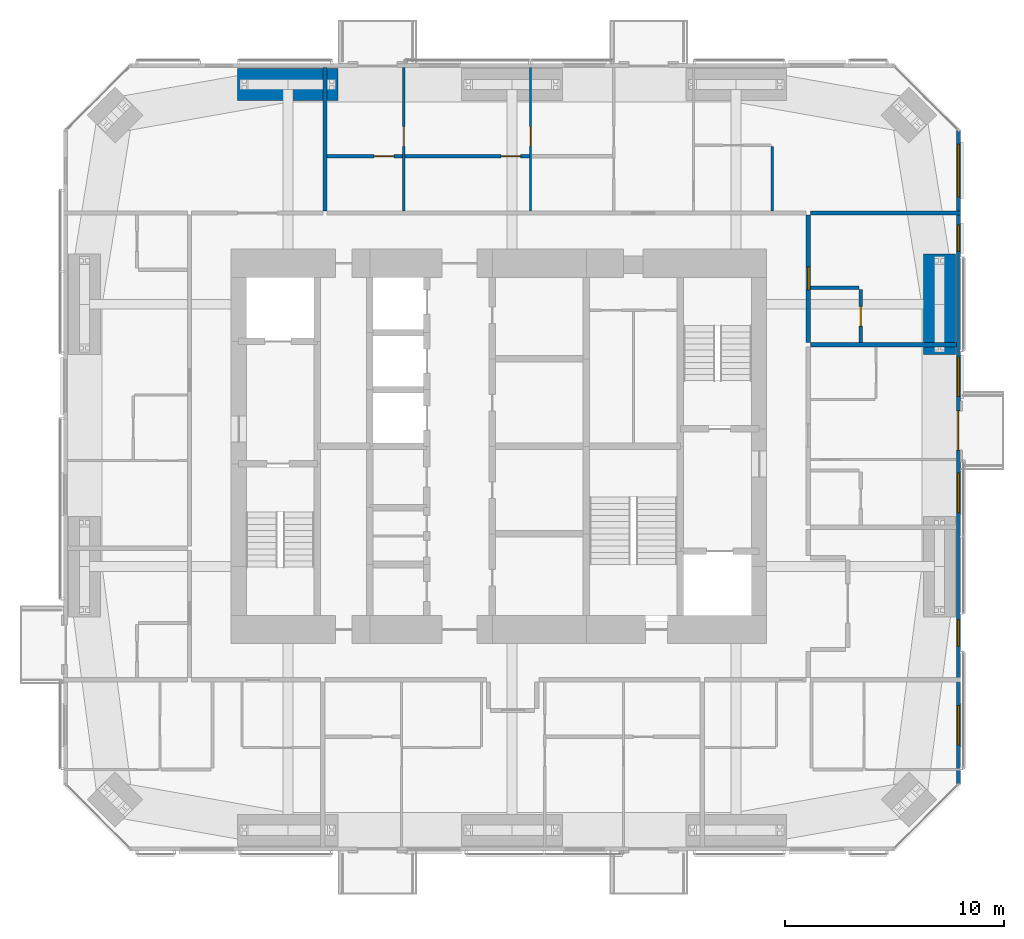
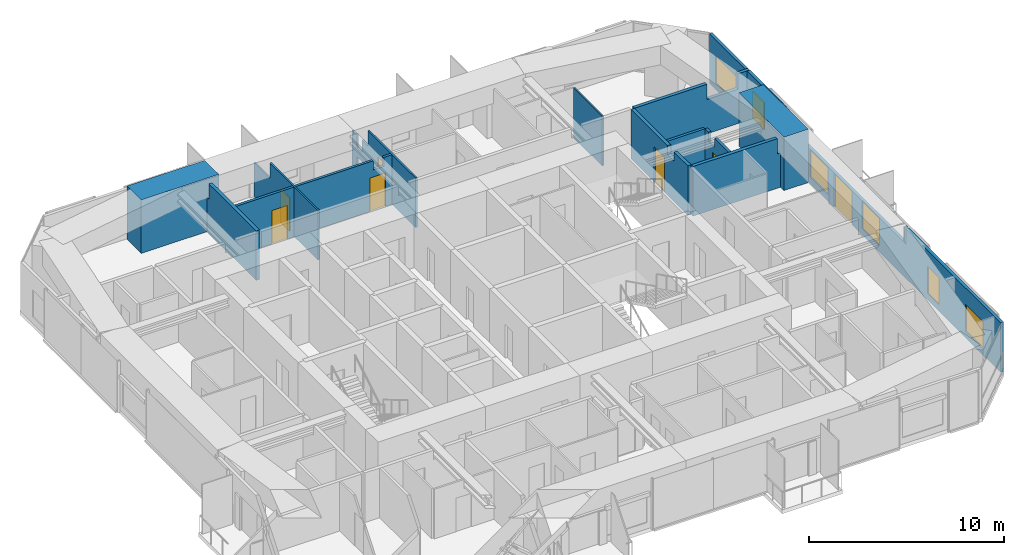
# One storey, part 20 of 22: 14 walls, 7 doors, 6 windows, 13 openings.
"""IFC4 building model written with IfcOpenShell, lengths in metres."""

from ifc_helpers import new_model, si_unit, direction, frame, frame_2d, origin, place, context, subcontext, project, spatial, polyline, rectangle, outline, extrude, material, layer, layer_set, constituent, constituent_set, type_object, element, fill, save


model = new_model("IFC4")

# Units and contexts
model_context = context("Model", 3, precision=1e-05, world=origin(), true_north=direction((0.0, 1.0)))
body_context = subcontext(model_context, "Body", "Model", "MODEL_VIEW")
ifc_project = project(units=[si_unit("LENGTHUNIT", "METRE"), si_unit("AREAUNIT", "SQUARE_METRE"), si_unit("VOLUMEUNIT", "CUBIC_METRE"), si_unit("PLANEANGLEUNIT", "RADIAN"), si_unit("MASSUNIT", "GRAM", prefix="KILO")], contexts=[model_context])

# Site, building, storey
site_placement = place(None, origin())
site = spatial("IfcSite", under=ifc_project, at=site_placement, CompositionType="ELEMENT")
building_placement = place(site_placement, origin())
building = spatial("IfcBuilding", under=site, at=building_placement, Name="Jalousie Tower", CompositionType="ELEMENT")
storey_placement = place(building_placement, frame((0.0, 0.0, 177.800048828125)))
storey = spatial("IfcBuildingStorey", under=building, at=storey_placement, Name="L48", CompositionType="ELEMENT", Elevation=177.800048828125)

# Wall, opening, door
ifc_material_1 = material(Name="Concrete block ASTM C90", Category="concrete")
ifc_constituent_1 = constituent(ifc_material_1, Name="Body")
ifc_material_2 = material(Name="Render")
ifc_constituent_2 = constituent(ifc_material_2, Name="Finish")
ifc_constituent_set_1 = constituent_set(constituents=[ifc_constituent_1, ifc_constituent_2])
wall_type_1 = type_object("IfcWallType", Name="BATHROOM WALL 150", PredefinedType="PLUMBINGWALL", material=ifc_constituent_set_1)
wall_1_placement = place(storey_placement, frame((24.050048828125, 31.77490234375, 0.0), z_axis=(0.0, 0.0, 1.0), x_axis=(1.0, 0.0, 0.0)))
wall_1 = element("IfcWall", 1, at=wall_1_placement, inside=storey, type_object=wall_type_1, Name="Bathroom Wall 150 L48", PredefinedType="PLUMBINGWALL", context=body_context, shape_type="SweptSolid", body=[
    extrude(rectangle(XDim=3.449951171875, YDim=0.14990234375, at=frame_2d((1.72509765625, 0.0))), origin(), (0.0, 0.0, 1.0), 3.10986328125),
])
opening_1_placement = place(wall_1_placement, frame((2.14990234375, 0.0, 0.0)))
opening_1 = element("IfcOpeningElement", 2, at=opening_1_placement, cuts=wall_1, Name="Opening D3", PredefinedType="OPENING", context=body_context, shape_type="SweptSolid", body=[
    extrude(rectangle(XDim=0.89990234375, YDim=2.10009765625, at=frame_2d((0.449951171875, 1.050048828125))), frame((0.0, 0.0849609375, 0.0), z_axis=(0.0, -1.0, 0.0), x_axis=(1.0, 0.0, 0.0)), (0.0, 0.0, 1.0), 0.169921875),
])
ifc_material_3 = material(Name="Timber door", Category="wood")
door_type_1 = type_object("IfcDoorType", Name="BATHROOM DOOR 900", OperationType="SINGLE_SWING_LEFT", PredefinedType="DOOR", material=ifc_material_3)
door_1_placement = place(opening_1_placement, frame((0.89990234375, 0.0, 0.0), z_axis=(0.0, 0.0, 1.0), x_axis=(-1.0, 0.0, 0.0)))
door_1 = element("IfcDoor", 3, at=door_1_placement, inside=storey, type_object=door_type_1, Name="Apartment 4804 bedroom 1 bathroom door", OperationType="SINGLE_SWING_LEFT", OverallHeight=2.10009765625, OverallWidth=0.89990234375, PredefinedType="DOOR", context=body_context, shape_type="SweptSolid", body=[
    extrude(rectangle(XDim=0.89990234375, YDim=2.10009765625, at=frame_2d((0.449951171875, 1.050048828125))), frame((0.0, 0.02490234375, 0.0), z_axis=(0.0, -1.0, 0.0), x_axis=(1.0, 0.0, 0.0)), (0.0, 0.0, 1.0), 0.050048828125),
])
fill(opening_1, door_1)

wall_2_placement = place(storey_placement, frame((27.60009765625, 31.77490234375, 0.0), z_axis=(0.0, 0.0, 1.0), x_axis=(1.0, 0.0, 0.0)))
wall_2 = element("IfcWall", 4, at=wall_2_placement, inside=storey, type_object=wall_type_1, Name="Bathroom Wall 150 L48", PredefinedType="PLUMBINGWALL", context=body_context, shape_type="SweptSolid", body=[
    extrude(outline(polyline([(0.0, 0.0), (5.699951171875, 0.0), (5.699951171875, 3.10986328125), (5.21240234375, 3.10986328125), (5.21240234375, 2.541015625), (4.587646484375, 2.541015625), (4.587646484375, 3.10986328125), (0.0, 3.10986328125), (0.0, 0.0)])), frame((0.0, 0.074951171875, 0.0), z_axis=(0.0, -1.0, 0.0), x_axis=(1.0, 0.0, 0.0)), (0.0, 0.0, 1.0), 0.14990234375),
])
opening_2_placement = place(wall_2_placement, frame((4.39990234375, 0.0, 0.0)))
opening_2 = element("IfcOpeningElement", 5, at=opening_2_placement, cuts=wall_2, Name="Opening D3", PredefinedType="OPENING", context=body_context, shape_type="SweptSolid", body=[
    extrude(rectangle(XDim=0.89990234375, YDim=2.10009765625, at=frame_2d((0.449951171875, 1.050048828125))), frame((0.0, 0.0849609375, 0.0), z_axis=(0.0, -1.0, 0.0), x_axis=(1.0, 0.0, 0.0)), (0.0, 0.0, 1.0), 0.169921875),
])
door_2_placement = place(opening_2_placement, frame((0.89990234375, 0.0, 0.0), z_axis=(0.0, 0.0, 1.0), x_axis=(-1.0, 0.0, 0.0)))
door_2 = element("IfcDoor", 6, at=door_2_placement, inside=storey, type_object=door_type_1, Name="Apartment 4804 bedroom 2 bathroom door", OperationType="SINGLE_SWING_LEFT", OverallHeight=2.10009765625, OverallWidth=0.89990234375, PredefinedType="DOOR", context=body_context, shape_type="SweptSolid", body=[
    extrude(rectangle(XDim=0.89990234375, YDim=2.10009765625, at=frame_2d((0.449951171875, 1.050048828125))), frame((0.0, 0.02490234375, 0.0), z_axis=(0.0, -1.0, 0.0), x_axis=(1.0, 0.0, 0.0)), (0.0, 0.0, 1.0), 0.050048828125),
])
fill(opening_2, door_2)

wall_3_placement = place(storey_placement, frame((48.449951171875, 23.25, 0.0), z_axis=(0.0, 0.0, 1.0), x_axis=(0.0, 1.0, 0.0)))
wall_3 = element("IfcWall", 7, at=wall_3_placement, inside=storey, type_object=wall_type_1, Name="Bathroom Wall 150 L48", PredefinedType="PLUMBINGWALL", context=body_context, shape_type="SweptSolid", body=[
    extrude(outline(polyline([(0.0, 0.0), (2.425048828125, 0.0), (2.425048828125, 3.10986328125), (2.0625, 3.10986328125), (2.0625, 2.541015625), (1.4375, 2.541015625), (1.4375, 3.10986328125), (0.0, 3.10986328125), (0.0, 0.0)])), frame((0.0, 0.074951171875, 0.0), z_axis=(0.0, -1.0, 0.0), x_axis=(1.0, 0.0, 0.0)), (0.0, 0.0, 1.0), 0.14990234375),
])
opening_3_placement = place(wall_3_placement, frame((0.75, 0.0, 0.0)))
opening_3 = element("IfcOpeningElement", 8, at=opening_3_placement, cuts=wall_3, Name="Opening D3", PredefinedType="OPENING", context=body_context, shape_type="SweptSolid", body=[
    extrude(rectangle(XDim=0.89990234375, YDim=2.10009765625, at=frame_2d((0.449951171875, 1.050048828125))), frame((0.0, 0.0849609375, 0.0), z_axis=(0.0, -1.0, 0.0), x_axis=(1.0, 0.0, 0.0)), (0.0, 0.0, 1.0), 0.169921875),
])
door_3_placement = place(opening_3_placement, origin())
door_3 = element("IfcDoor", 9, at=door_3_placement, inside=storey, type_object=door_type_1, Name="Apartment 4808 bathroom door", OperationType="SINGLE_SWING_LEFT", OverallHeight=2.10009765625, OverallWidth=0.89990234375, PredefinedType="DOOR", context=body_context, shape_type="SweptSolid", body=[
    extrude(rectangle(XDim=0.89990234375, YDim=2.10009765625, at=frame_2d((0.449951171875, 1.050048828125))), frame((0.0, 0.02490234375, 0.0), z_axis=(0.0, -1.0, 0.0), x_axis=(1.0, 0.0, 0.0)), (0.0, 0.0, 1.0), 0.050048828125),
])
fill(opening_3, door_3)

# Wall
wall_4_placement = place(storey_placement, frame((48.375, 25.75, 0.0), z_axis=(0.0, 0.0, 1.0), x_axis=(-1.0, 0.0, 0.0)))
element("IfcWall", 10, at=wall_4_placement, inside=storey, type_object=wall_type_1, Name="Bathroom Wall 150 L48", PredefinedType="PLUMBINGWALL", context=body_context, shape_type="SweptSolid", body=[
    extrude(rectangle(XDim=2.22509765625, YDim=0.14990234375, at=frame_2d((1.112548828125, 0.0))), origin(), (0.0, 0.0, 1.0), 3.10986328125),
])

# Wall, opening, door
ifc_material_4 = material(Name="Concrete block ASTM C90", Category="concrete")
ifc_constituent_3 = constituent(ifc_material_4, Name="Body")
ifc_material_5 = material(Name="Render")
ifc_constituent_4 = constituent(ifc_material_5, Name="Finish")
ifc_constituent_set_2 = constituent_set(constituents=[ifc_constituent_3, ifc_constituent_4])
wall_type_2 = type_object("IfcWallType", Name="CORRIDOR WALL 200", PredefinedType="PARTITIONING", material=ifc_constituent_set_2)
wall_5_placement = place(storey_placement, frame((46.050048828125, 23.25, 0.0), z_axis=(0.0, 0.0, 1.0), x_axis=(0.0, 1.0, 0.0)))
wall_5 = element("IfcWall", 11, at=wall_5_placement, inside=storey, type_object=wall_type_2, Name="Corridor Wall 200 L48", PredefinedType="PARTITIONING", context=body_context, shape_type="SweptSolid", body=[
    extrude(outline(polyline([(0.0, 0.0), (5.824951171875, 0.0), (5.824951171875, 3.10986328125), (2.08740234375, 3.10986328125), (2.08740234375, 2.541015625), (1.41259765625, 2.541015625), (1.41259765625, 3.10986328125), (0.0, 3.10986328125), (0.0, 0.0)])), frame((0.0, 0.10009765625, 0.0), z_axis=(0.0, -1.0, 0.0), x_axis=(1.0, 0.0, 0.0)), (0.0, 0.0, 1.0), 0.199951171875),
])
opening_4_placement = place(wall_5_placement, frame((2.41259765625, 0.0, 0.0)))
opening_4 = element("IfcOpeningElement", 12, at=opening_4_placement, cuts=wall_5, Name="Opening D1", PredefinedType="OPENING", context=body_context, shape_type="SweptSolid", body=[
    extrude(rectangle(XDim=1.050048828125, YDim=2.199951171875, at=frame_2d((0.52490234375, 1.10009765625))), frame((0.0, 0.10986328125, 0.0), z_axis=(0.0, -1.0, 0.0), x_axis=(1.0, 0.0, 0.0)), (0.0, 0.0, 1.0), 0.219970703125),
])
ifc_material_6 = material(Name="Timber fire door", Category="wood")
door_type_2 = type_object("IfcDoorType", Name="APARTMENT ENTRANCE DOOR 1050", OperationType="SINGLE_SWING_LEFT", PredefinedType="DOOR", material=ifc_material_6)
door_4_placement = place(opening_4_placement, frame((1.050048828125, 0.0, 0.0), z_axis=(0.0, 0.0, 1.0), x_axis=(-1.0, 0.0, 0.0)))
door_4 = element("IfcDoor", 13, at=door_4_placement, inside=storey, type_object=door_type_2, Name="Apartment 4808 entrance", OperationType="SINGLE_SWING_LEFT", OverallHeight=2.199951171875, OverallWidth=1.050048828125, PredefinedType="DOOR", context=body_context, shape_type="SweptSolid", body=[
    extrude(rectangle(XDim=1.050048828125, YDim=2.199951171875, at=frame_2d((0.52490234375, 1.10009765625))), frame((0.0, 0.02490234375, 0.0), z_axis=(0.0, -1.0, 0.0), x_axis=(1.0, 0.0, 0.0)), (0.0, 0.0, 1.0), 0.050048828125),
])
fill(opening_4, door_4)

# Wall, openings, door, windows
ifc_material_7 = material(Name="Concrete f'c 40 MPa", Category="concrete")
ifc_constituent_5 = constituent(ifc_material_7, Name="Body")
ifc_material_8 = material(Name="Render, pastel lemon")
ifc_constituent_6 = constituent(ifc_material_8, Name="Finish")
ifc_constituent_set_3 = constituent_set(constituents=[ifc_constituent_5, ifc_constituent_6])
wall_type_3 = type_object("IfcWallType", Name="EXTERNAL WALL 175 LEMON RENDER", PredefinedType="SOLIDWALL", material=ifc_constituent_set_3)
wall_6_placement = place(storey_placement, frame((52.91259765625, 3.05126953125, 0.0), z_axis=(0.0, 0.0, 1.0), x_axis=(0.0, 1.0, 0.0)))
wall_6 = element("IfcWall", 14, at=wall_6_placement, inside=storey, type_object=wall_type_3, Name="External Wall 175 Lemon Render L48", PredefinedType="SOLIDWALL", context=body_context, shape_type="SweptSolid", body=[
    extrude(outline(polyline([(0.0, 0.0), (29.8974609375, 0.0), (29.8974609375, 3.10986328125), (22.16748046875, 3.10986328125), (22.16748046875, 2.14990234375), (22.073974609375, 2.14990234375), (22.073974609375, 3.10986328125), (21.94873046875, 3.10986328125), (21.94873046875, 2.14990234375), (9.94873046875, 2.14990234375), (9.94873046875, 3.10986328125), (9.846923828125, 3.10986328125), (9.846923828125, 2.14990234375), (9.7060546875, 2.14990234375), (9.7060546875, 3.10986328125), (0.0, 3.10986328125), (0.0, 0.0)])), frame((0.0, 0.08740234375, 0.0), z_axis=(0.0, -1.0, 0.0), x_axis=(1.0, 0.0, 0.0)), (0.0, 0.0, 1.0), 0.175048828125),
])
opening_5_placement = place(wall_6_placement, frame((1.796875, 0.0, 0.39990234375)))
opening_5 = element("IfcOpeningElement", 15, at=opening_5_placement, cuts=wall_6, Name="Opening W-BED170", PredefinedType="OPENING", context=body_context, shape_type="SweptSolid", body=[
    extrude(rectangle(XDim=1.800048828125, YDim=1.699951171875, at=frame_2d((0.89990234375, 0.85009765625))), frame((0.0, 0.097412109375, 0.0), z_axis=(0.0, -1.0, 0.0), x_axis=(1.0, 0.0, 0.0)), (0.0, 0.0, 1.0), 0.195068359375),
])
opening_6_placement = place(wall_6_placement, frame((6.320556640625, 0.0, 0.39990234375)))
opening_6 = element("IfcOpeningElement", 16, at=opening_6_placement, cuts=wall_6, Name="Opening W-COR170", PredefinedType="OPENING", context=body_context, shape_type="SweptSolid", body=[
    extrude(rectangle(XDim=1.199951171875, YDim=1.699951171875, at=frame_2d((0.60009765625, 0.85009765625))), frame((0.0, 0.097412109375, 0.0), z_axis=(0.0, -1.0, 0.0), x_axis=(1.0, 0.0, 0.0)), (0.0, 0.0, 1.0), 0.195068359375),
])
opening_7_placement = place(wall_6_placement, frame((12.423583984375, 0.0, 0.39990234375)))
opening_7 = element("IfcOpeningElement", 17, at=opening_7_placement, cuts=wall_6, Name="Opening W-BED170", PredefinedType="OPENING", context=body_context, shape_type="SweptSolid", body=[
    extrude(rectangle(XDim=1.800048828125, YDim=1.699951171875, at=frame_2d((0.89990234375, 0.85009765625))), frame((0.0, 0.097412109375, 0.0), z_axis=(0.0, -1.0, 0.0), x_axis=(1.0, 0.0, 0.0)), (0.0, 0.0, 1.0), 0.195068359375),
])
opening_8_placement = place(wall_6_placement, frame((15.273681640625, 0.0, 0.0)))
opening_8 = element("IfcOpeningElement", 18, at=opening_8_placement, cuts=wall_6, Name="Opening D-BAL21", PredefinedType="OPENING", context=body_context, shape_type="SweptSolid", body=[
    extrude(rectangle(XDim=1.800048828125, YDim=2.10009765625, at=frame_2d((0.89990234375, 1.050048828125))), frame((0.0, 0.097412109375, 0.0), z_axis=(0.0, -1.0, 0.0), x_axis=(1.0, 0.0, 0.0)), (0.0, 0.0, 1.0), 0.195068359375),
])
opening_9_placement = place(wall_6_placement, frame((17.736083984375, 0.0, 0.39990234375)))
opening_9 = element("IfcOpeningElement", 19, at=opening_9_placement, cuts=wall_6, Name="Opening W-BED170", PredefinedType="OPENING", context=body_context, shape_type="SweptSolid", body=[
    extrude(rectangle(XDim=1.800048828125, YDim=1.699951171875, at=frame_2d((0.89990234375, 0.85009765625))), frame((0.0, 0.097412109375, 0.0), z_axis=(0.0, -1.0, 0.0), x_axis=(1.0, 0.0, 0.0)), (0.0, 0.0, 1.0), 0.195068359375),
])
opening_10_placement = place(wall_6_placement, frame((24.373046875, 0.0, 0.39990234375)))
opening_10 = element("IfcOpeningElement", 20, at=opening_10_placement, cuts=wall_6, Name="Opening W-COR170", PredefinedType="OPENING", context=body_context, shape_type="SweptSolid", body=[
    extrude(rectangle(XDim=1.199951171875, YDim=1.699951171875, at=frame_2d((0.60009765625, 0.85009765625))), frame((0.0, 0.097412109375, 0.0), z_axis=(0.0, -1.0, 0.0), x_axis=(1.0, 0.0, 0.0)), (0.0, 0.0, 1.0), 0.195068359375),
])
opening_11_placement = place(wall_6_placement, frame((26.860595703125, 0.0, 0.39990234375)))
opening_11 = element("IfcOpeningElement", 21, at=opening_11_placement, cuts=wall_6, Name="Opening W-LIV170", PredefinedType="OPENING", context=body_context, shape_type="SweptSolid", body=[
    extrude(rectangle(XDim=2.39990234375, YDim=1.699951171875, at=frame_2d((1.199951171875, 0.85009765625))), frame((0.0, 0.097412109375, 0.0), z_axis=(0.0, -1.0, 0.0), x_axis=(1.0, 0.0, 0.0)), (0.0, 0.0, 1.0), 0.195068359375),
])
ifc_material_9 = material(Name="Aluminium frame, impact-rated glazing", Category="aluminium")
door_type_3 = type_object("IfcDoorType", Name="BALCONY DOOR 1800x2100", OperationType="SLIDING_TO_LEFT", PredefinedType="DOOR", material=ifc_material_9)
door_5_placement = place(opening_8_placement, origin())
door_5 = element("IfcDoor", 22, at=door_5_placement, inside=storey, type_object=door_type_3, Name="Apartment 4807 studio living and sleeping room balcony door", OperationType="SLIDING_TO_LEFT", OverallHeight=2.10009765625, OverallWidth=1.800048828125, PredefinedType="DOOR", context=body_context, shape_type="SweptSolid", body=[
    extrude(rectangle(XDim=1.800048828125, YDim=2.10009765625, at=frame_2d((0.89990234375, 1.050048828125))), frame((0.0, 0.02490234375, 0.0), z_axis=(0.0, -1.0, 0.0), x_axis=(1.0, 0.0, 0.0)), (0.0, 0.0, 1.0), 0.050048828125),
])
fill(opening_8, door_5)
ifc_material_10 = material(Name="Aluminium frame, impact-rated glazing", Category="aluminium")
window_type_1 = type_object("IfcWindowType", Name="WINDOW BED 1800x1700", PartitioningType="SINGLE_PANEL", PredefinedType="WINDOW", material=ifc_material_10)
window_1_placement = place(opening_5_placement, origin())
window_1 = element("IfcWindow", 23, at=window_1_placement, inside=storey, type_object=window_type_1, Name="Apartment 4803 bedroom 1 window", OverallHeight=1.699951171875, OverallWidth=1.800048828125, PartitioningType="SINGLE_PANEL", PredefinedType="WINDOW", context=body_context, shape_type="SweptSolid", body=[
    extrude(rectangle(XDim=1.800048828125, YDim=1.699951171875, at=frame_2d((0.89990234375, 0.85009765625))), frame((0.0, 0.030029296875, 0.0), z_axis=(0.0, -1.0, 0.0), x_axis=(1.0, 0.0, 0.0)), (0.0, 0.0, 1.0), 0.06005859375),
])
fill(opening_5, window_1)
window_2_placement = place(opening_7_placement, origin())
window_2 = element("IfcWindow", 24, at=window_2_placement, inside=storey, type_object=window_type_1, Name="Apartment 4807 study window", OverallHeight=1.699951171875, OverallWidth=1.800048828125, PartitioningType="SINGLE_PANEL", PredefinedType="WINDOW", context=body_context, shape_type="SweptSolid", body=[
    extrude(rectangle(XDim=1.800048828125, YDim=1.699951171875, at=frame_2d((0.89990234375, 0.85009765625))), frame((0.0, 0.030029296875, 0.0), z_axis=(0.0, -1.0, 0.0), x_axis=(1.0, 0.0, 0.0)), (0.0, 0.0, 1.0), 0.06005859375),
])
fill(opening_7, window_2)
window_3_placement = place(opening_9_placement, origin())
window_3 = element("IfcWindow", 25, at=window_3_placement, inside=storey, type_object=window_type_1, Name="Apartment 4807 studio living and sleeping room window", OverallHeight=1.699951171875, OverallWidth=1.800048828125, PartitioningType="SINGLE_PANEL", PredefinedType="WINDOW", context=body_context, shape_type="SweptSolid", body=[
    extrude(rectangle(XDim=1.800048828125, YDim=1.699951171875, at=frame_2d((0.89990234375, 0.85009765625))), frame((0.0, 0.030029296875, 0.0), z_axis=(0.0, -1.0, 0.0), x_axis=(1.0, 0.0, 0.0)), (0.0, 0.0, 1.0), 0.06005859375),
])
fill(opening_9, window_3)
ifc_material_11 = material(Name="Aluminium frame, impact-rated glazing", Category="aluminium")
window_type_2 = type_object("IfcWindowType", Name="WINDOW COR 1200x1700", PartitioningType="SINGLE_PANEL", PredefinedType="WINDOW", material=ifc_material_11)
window_4_placement = place(opening_6_placement, origin())
window_4 = element("IfcWindow", 26, at=window_4_placement, inside=storey, type_object=window_type_2, Name="Residents' library window", OverallHeight=1.699951171875, OverallWidth=1.199951171875, PartitioningType="SINGLE_PANEL", PredefinedType="WINDOW", context=body_context, shape_type="SweptSolid", body=[
    extrude(rectangle(XDim=1.199951171875, YDim=1.699951171875, at=frame_2d((0.60009765625, 0.85009765625))), frame((0.0, 0.030029296875, 0.0), z_axis=(0.0, -1.0, 0.0), x_axis=(1.0, 0.0, 0.0)), (0.0, 0.0, 1.0), 0.06005859375),
])
fill(opening_6, window_4)
window_5_placement = place(opening_10_placement, origin())
window_5 = element("IfcWindow", 27, at=window_5_placement, inside=storey, type_object=window_type_2, Name="Apartment 4808 studio kitchen, living and sleeping room window", OverallHeight=1.699951171875, OverallWidth=1.199951171875, PartitioningType="SINGLE_PANEL", PredefinedType="WINDOW", context=body_context, shape_type="SweptSolid", body=[
    extrude(rectangle(XDim=1.199951171875, YDim=1.699951171875, at=frame_2d((0.60009765625, 0.85009765625))), frame((0.0, 0.030029296875, 0.0), z_axis=(0.0, -1.0, 0.0), x_axis=(1.0, 0.0, 0.0)), (0.0, 0.0, 1.0), 0.06005859375),
])
fill(opening_10, window_5)
ifc_material_12 = material(Name="Aluminium frame, impact-rated glazing", Category="aluminium")
window_type_3 = type_object("IfcWindowType", Name="WINDOW LIV 2400x1700", PartitioningType="DOUBLE_PANEL_VERTICAL", PredefinedType="WINDOW", material=ifc_material_12)
window_6_placement = place(opening_11_placement, origin())
window_6 = element("IfcWindow", 28, at=window_6_placement, inside=storey, type_object=window_type_3, Name="Apartment 4804 living and dining room window", OverallHeight=1.699951171875, OverallWidth=2.39990234375, PartitioningType="SINGLE_PANEL", PredefinedType="WINDOW", context=body_context, shape_type="SweptSolid", body=[
    extrude(rectangle(XDim=2.39990234375, YDim=1.699951171875, at=frame_2d((1.199951171875, 0.85009765625))), frame((0.0, 0.030029296875, 0.0), z_axis=(0.0, -1.0, 0.0), x_axis=(1.0, 0.0, 0.0)), (0.0, 0.0, 1.0), 0.06005859375),
])
fill(opening_11, window_6)

# Wall, opening, door
ifc_material_13 = material(Name="Gypsum board", Category="gypsum")
ifc_constituent_7 = constituent(ifc_material_13, Name="Body")
ifc_material_14 = material(Name="Light-gauge steel studs ASTM A653 SS Grade 33", Category="steel")
ifc_constituent_8 = constituent(ifc_material_14, Name="Framing")
ifc_constituent_set_4 = constituent_set(constituents=[ifc_constituent_7, ifc_constituent_8])
wall_type_4 = type_object("IfcWallType", Name="PARTITION 100", PredefinedType="PARTITIONING", material=ifc_constituent_set_4)
wall_7_placement = place(storey_placement, frame((27.550048828125, 35.824951171875, 0.0), z_axis=(0.0, 0.0, 1.0), x_axis=(0.0, -1.0, 0.0)))
wall_7 = element("IfcWall", 29, at=wall_7_placement, inside=storey, type_object=wall_type_4, Name="Partition 100 L48", PredefinedType="PARTITIONING", context=body_context, shape_type="SweptSolid", body=[
    extrude(outline(polyline([(0.0, 0.0), (6.550048828125, 0.0), (6.550048828125, 3.10986328125), (1.635009765625, 3.10986328125), (1.635009765625, 2.14990234375), (0.0, 2.14990234375), (0.0, 3.10986328125), (0.0, 0.0)])), frame((0.0, 0.050048828125, 0.0), z_axis=(0.0, -1.0, 0.0), x_axis=(1.0, 0.0, 0.0)), (0.0, 0.0, 1.0), 0.10009765625),
])
opening_12_placement = place(wall_7_placement, frame((2.699951171875, 0.0, 0.0)))
opening_12 = element("IfcOpeningElement", 30, at=opening_12_placement, cuts=wall_7, Name="Opening D2", PredefinedType="OPENING", context=body_context, shape_type="SweptSolid", body=[
    extrude(rectangle(XDim=0.89990234375, YDim=2.10009765625, at=frame_2d((0.449951171875, 1.050048828125))), frame((0.0, 0.06005859375, 0.0), z_axis=(0.0, -1.0, 0.0), x_axis=(1.0, 0.0, 0.0)), (0.0, 0.0, 1.0), 0.1201171875),
])
ifc_material_15 = material(Name="Timber door", Category="wood")
door_type_4 = type_object("IfcDoorType", Name="BEDROOM DOOR 900", OperationType="SINGLE_SWING_LEFT", PredefinedType="DOOR", material=ifc_material_15)
door_6_placement = place(opening_12_placement, origin())
door_6 = element("IfcDoor", 31, at=door_6_placement, inside=storey, type_object=door_type_4, Name="Apartment 4804 bedroom 1 door", OperationType="SINGLE_SWING_RIGHT", OverallHeight=2.10009765625, OverallWidth=0.89990234375, PredefinedType="DOOR", context=body_context, shape_type="SweptSolid", body=[
    extrude(rectangle(XDim=0.89990234375, YDim=2.10009765625, at=frame_2d((0.449951171875, 1.050048828125))), frame((0.0, 0.02490234375, 0.0), z_axis=(0.0, -1.0, 0.0), x_axis=(1.0, 0.0, 0.0)), (0.0, 0.0, 1.0), 0.050048828125),
])
fill(opening_12, door_6)

wall_8_placement = place(storey_placement, frame((33.35009765625, 35.824951171875, 0.0), z_axis=(0.0, 0.0, 1.0), x_axis=(0.0, -1.0, 0.0)))
wall_8 = element("IfcWall", 32, at=wall_8_placement, inside=storey, type_object=wall_type_4, Name="Partition 100 L48", PredefinedType="PARTITIONING", context=body_context, shape_type="SweptSolid", body=[
    extrude(outline(polyline([(0.52880859375, 2.14990234375), (0.0, 2.14990234375), (0.0, 0.0), (0.52880859375, 0.0), (0.52880859375, 0.792724609375), (1.021240234375, 0.792724609375), (1.021240234375, 0.0), (6.550048828125, 0.0), (6.550048828125, 3.10986328125), (1.635009765625, 3.10986328125), (1.635009765625, 2.14990234375), (1.021240234375, 2.14990234375), (1.021240234375, 1.357177734375), (0.52880859375, 1.357177734375), (0.52880859375, 2.14990234375)])), frame((0.0, 0.050048828125, 0.0), z_axis=(0.0, -1.0, 0.0), x_axis=(1.0, 0.0, 0.0)), (0.0, 0.0, 1.0), 0.10009765625),
])
opening_13_placement = place(wall_8_placement, frame((2.699951171875, 0.0, 0.0)))
opening_13 = element("IfcOpeningElement", 33, at=opening_13_placement, cuts=wall_8, Name="Opening D2", PredefinedType="OPENING", context=body_context, shape_type="SweptSolid", body=[
    extrude(rectangle(XDim=0.89990234375, YDim=2.10009765625, at=frame_2d((0.449951171875, 1.050048828125))), frame((0.0, 0.06005859375, 0.0), z_axis=(0.0, -1.0, 0.0), x_axis=(1.0, 0.0, 0.0)), (0.0, 0.0, 1.0), 0.1201171875),
])
door_7_placement = place(opening_13_placement, frame((0.89990234375, 0.0, 0.0), z_axis=(0.0, 0.0, 1.0), x_axis=(-1.0, 0.0, 0.0)))
door_7 = element("IfcDoor", 34, at=door_7_placement, inside=storey, type_object=door_type_4, Name="Apartment 4804 bedroom 2 door", OperationType="SINGLE_SWING_LEFT", OverallHeight=2.10009765625, OverallWidth=0.89990234375, PredefinedType="DOOR", context=body_context, shape_type="SweptSolid", body=[
    extrude(rectangle(XDim=0.89990234375, YDim=2.10009765625, at=frame_2d((0.449951171875, 1.050048828125))), frame((0.0, 0.02490234375, 0.0), z_axis=(0.0, -1.0, 0.0), x_axis=(1.0, 0.0, 0.0)), (0.0, 0.0, 1.0), 0.050048828125),
])
fill(opening_13, door_7)

# Walls
wall_9_placement = place(storey_placement, frame((44.39990234375, 32.22509765625, 0.0), z_axis=(0.0, 0.0, 1.0), x_axis=(0.0, -1.0, 0.0)))
element("IfcWall", 35, at=wall_9_placement, inside=storey, type_object=wall_type_4, Name="Partition 100 L48", PredefinedType="PARTITIONING", context=body_context, shape_type="SweptSolid", body=[
    extrude(rectangle(XDim=2.9501953125, YDim=0.10009765625, at=frame_2d((1.47509765625, 0.0))), origin(), (0.0, 0.0, 1.0), 3.10986328125),
])
ifc_material_16 = material(Name="Concrete block ASTM C90", Category="concrete")
ifc_constituent_9 = constituent(ifc_material_16, Name="Body")
ifc_material_17 = material(Name="Render")
ifc_constituent_10 = constituent(ifc_material_17, Name="Finish")
ifc_constituent_set_5 = constituent_set(constituents=[ifc_constituent_9, ifc_constituent_10])
wall_type_5 = type_object("IfcWallType", Name="PARTY WALL 200", PredefinedType="PARTITIONING", material=ifc_constituent_set_5)
wall_10_placement = place(storey_placement, frame((23.949951171875, 35.824951171875, 0.0), z_axis=(0.0, 0.0, 1.0), x_axis=(0.0, -1.0, 0.0)))
element("IfcWall", 36, at=wall_10_placement, inside=storey, type_object=wall_type_5, Name="Party Wall 200 L48", PredefinedType="PARTITIONING", context=body_context, shape_type="SweptSolid", body=[
    extrude(outline(polyline([(0.52880859375, 2.14990234375), (0.0, 2.14990234375), (0.0, 0.0), (0.52880859375, 0.0), (0.52880859375, 0.12255859375), (1.021240234375, 0.12255859375), (1.021240234375, 0.0), (6.550048828125, 0.0), (6.550048828125, 3.10986328125), (1.68505859375, 3.10986328125), (1.68505859375, 2.14990234375), (1.021240234375, 2.14990234375), (1.021240234375, 2.02734375), (0.52880859375, 2.02734375), (0.52880859375, 2.14990234375)])), frame((0.0, 0.10009765625, 0.0), z_axis=(0.0, -1.0, 0.0), x_axis=(1.0, 0.0, 0.0)), (0.0, 0.0, 1.0), 0.199951171875),
])
wall_11_placement = place(storey_placement, frame((46.14990234375, 29.175048828125, 0.0), z_axis=(0.0, 0.0, 1.0), x_axis=(1.0, 0.0, 0.0)))
element("IfcWall", 37, at=wall_11_placement, inside=storey, type_object=wall_type_5, Name="Party Wall 200 L48", PredefinedType="PARTITIONING", context=body_context, shape_type="SweptSolid", body=[
    extrude(outline(polyline([(0.0, 0.0), (6.85009765625, 0.0), (6.85009765625, 3.10986328125), (6.14697265625, 3.10986328125), (6.14697265625, 2.14990234375), (4.30322265625, 2.14990234375), (4.30322265625, 3.10986328125), (0.0, 3.10986328125), (0.0, 0.0)])), frame((0.0, 0.10009765625, 0.0), z_axis=(0.0, -1.0, 0.0), x_axis=(1.0, 0.0, 0.0)), (0.0, 0.0, 1.0), 0.199951171875),
])
wall_12_placement = place(storey_placement, frame((52.824951171875, 23.14990234375, 0.0), z_axis=(0.0, 0.0, 1.0), x_axis=(-1.0, 0.0, 0.0)))
element("IfcWall", 38, at=wall_12_placement, inside=storey, type_object=wall_type_5, Name="Party Wall 200 L48", PredefinedType="PARTITIONING", context=body_context, shape_type="SweptSolid", body=[
    extrude(outline(polyline([(0.0, 0.0), (6.675048828125, 0.0), (6.675048828125, 3.10986328125), (1.68505859375, 3.10986328125), (1.68505859375, 2.14990234375), (0.0, 2.14990234375), (0.0, 3.10986328125), (0.0, 0.0)])), frame((0.0, 0.10009765625, 0.0), z_axis=(0.0, -1.0, 0.0), x_axis=(1.0, 0.0, 0.0)), (0.0, 0.0, 1.0), 0.199951171875),
])
ifc_material_18 = material(Name="Concrete f'c 120 MPa", Category="concrete")
ifc_layer = layer(ifc_material_18, 1.449951171875)
ifc_layer_set = layer_set([ifc_layer], Name="Concrete f'c 120 MPa")
wall_type_6 = type_object("IfcWallType", Name="RC WALL PIER 1450", PredefinedType="SHEAR", material=ifc_layer_set)
for number, where, z_axis, x_axis, name in (
    (39, (52.050048828125, 22.699951171875, 0.0), (0.0, 0.0, 1.0), (0.0, 1.0, 0.0), "Wall pier 07 L48"),
    (40, (19.949951171875, 35.050048828125, 0.0), (0.0, 0.0, 1.0), (1.0, 0.0, 0.0), "Wall pier 11 L48"),
):
    element("IfcWall", number, at=place(storey_placement, frame(where, z_axis=z_axis, x_axis=x_axis)), inside=storey, type_object=wall_type_6, Name=name, PredefinedType="SHEAR", context=body_context, shape_type="SweptSolid", body=[
        extrude(rectangle(XDim=4.60009765625, YDim=1.449951171875, at=frame_2d((2.300048828125, 0.0))), origin(), (0.0, 0.0, 1.0), 3.349853515625),
    ])

save(model, "model.ifc")
